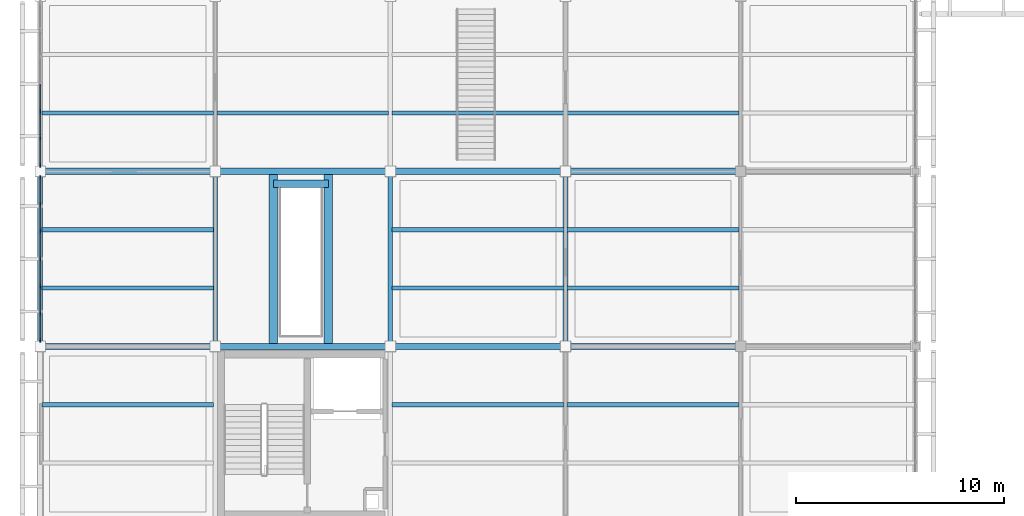
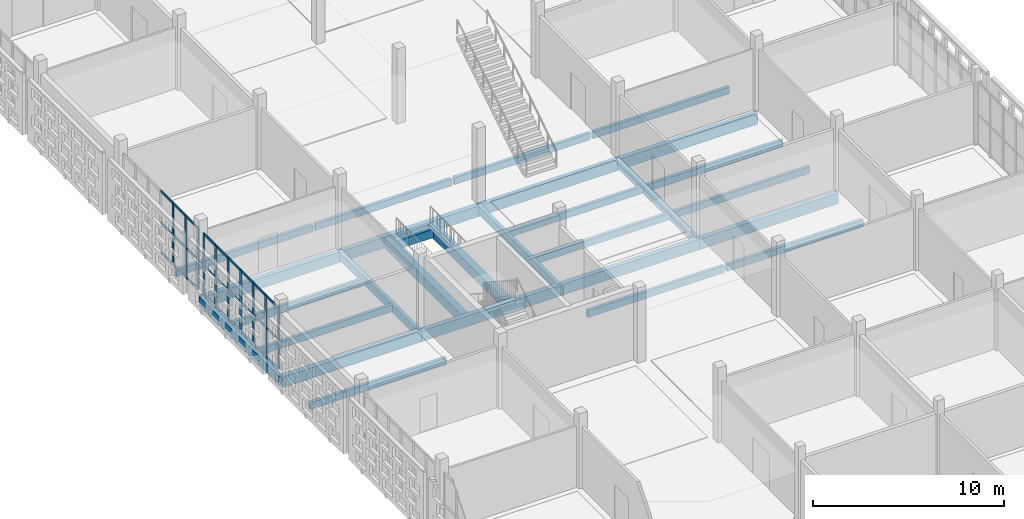
# One storey, part 39 of 203: 37 members, 28 beams, 2 elements without a shape of their own.
"""IFC4 building model written with IfcOpenShell, lengths in metres."""

from ifc_helpers import new_model, si_unit, direction, frame, origin, origin_2d, place, context, subcontext, project, spatial, rectangle, extrude, material, layer, layer_set, material_profile, profile_set, type_object, element, aggregate, save


model = new_model("IFC4")

# Units and contexts
model_context = context("Model", 3, precision=1e-05, world=origin(), true_north=direction((0.0, 1.0)))
body_context = subcontext(model_context, "Body", "Model", "MODEL_VIEW")
ifc_project = project(units=[si_unit("LENGTHUNIT", "METRE"), si_unit("AREAUNIT", "SQUARE_METRE"), si_unit("VOLUMEUNIT", "CUBIC_METRE"), si_unit("PLANEANGLEUNIT", "RADIAN"), si_unit("MASSUNIT", "GRAM", prefix="KILO")], contexts=[model_context])

# Site, building, storey
site_placement = place(None, origin())
site = spatial("IfcSite", under=ifc_project, at=site_placement, CompositionType="ELEMENT")
building_placement = place(site_placement, origin())
building = spatial("IfcBuilding", under=site, at=building_placement, Name="Varnapada Polytechnic", CompositionType="ELEMENT")
storey_placement = place(building_placement, frame((0.0, 0.0, 4.800048828125)))
storey = spatial("IfcBuildingStorey", under=building, at=storey_placement, Name="L01", CompositionType="ELEMENT", Elevation=4.800048828125)

# Beams
ifc_material_1 = material(Name="Concrete C40/50", Category="concrete")
ifc_material_profile_1 = material_profile(ifc_material_1, rectangle(XDim=0.35009765625, YDim=0.550048828125, at=origin_2d()), Name="RC 350x550")
ifc_profile_set_1 = profile_set([ifc_material_profile_1], Name="Concrete C40/50")
beam_type_1 = type_object("IfcBeamType", Name="Concrete podium spandrel beam SP-01 (RC 350x550)", PredefinedType="SPANDREL", material=ifc_profile_set_1)
beam_1_placement = place(storey_placement, frame((11.179931640625, 75.0, -0.53515625), z_axis=(1.0, 0.0, 0.0), x_axis=(0.0, 1.0, 0.0)))
element("IfcBeam", 1, at=beam_1_placement, inside=storey, type_object=beam_type_1, Name="L01 feature stair ST-F3 arrival beam", PredefinedType="SPANDREL", context=body_context, shape_type="SweptSolid", body=[
    extrude(rectangle(XDim=0.35009765625, YDim=0.550048828125, at=origin_2d()), origin(), (0.0, 0.0, 1.0), 2.64013671875),
])
ifc_material_2 = material(Name="Glulam GL32h", Category="wood")
ifc_material_profile_2 = material_profile(ifc_material_2, rectangle(XDim=0.199951171875, YDim=0.43994140625, at=origin_2d()), Name="GL 200x440")
ifc_profile_set_2 = profile_set([ifc_material_profile_2], Name="Glulam GL32h")
beam_type_2 = type_object("IfcBeamType", Name="Heavy laboratory glulam joist GJ-03 (GL 200x440)", PredefinedType="JOIST", material=ifc_profile_set_2)
for number, where, z_axis, x_axis, name in (
    (2, (0.080078125, 64.39990234375, -0.469970703125), (1.0, 0.0, 0.0), (0.0, 1.0, 0.0), "L01 floor joist 1/8.2"),
    (3, (0.080078125, 70.0, -0.469970703125), (1.0, 0.0, 0.0), (0.0, 1.0, 0.0), "L01 floor joist 1/9.1"),
    (4, (0.080078125, 72.800048828125, -0.469970703125), (1.0, 0.0, 0.0), (0.0, 1.0, 0.0), "L01 floor joist 1/9.2"),
    (5, (0.080078125, 78.39990234375, -0.469970703125), (1.0, 0.0, 0.0), (0.0, 1.0, 0.0), "L01 floor joist 1/10.1"),
    (6, (8.47998046875, 78.39990234375, -0.469970703125), (1.0, 0.0, 0.0), (0.0, 1.0, 0.0), "L01 floor joist 2/10.1"),
):
    element("IfcBeam", number, at=place(storey_placement, frame(where, z_axis=z_axis, x_axis=x_axis)), inside=storey, type_object=beam_type_2, Name=name, PredefinedType="JOIST", context=body_context, shape_type="SweptSolid", body=[
        extrude(rectangle(XDim=0.199951171875, YDim=0.43994140625, at=origin_2d()), origin(), (0.0, 0.0, 1.0), 8.239990234375),
    ])
for number, where, z_axis, x_axis, name in (
    (7, (16.8798828125, 64.39990234375, -0.469970703125), (1.0, 0.0, 0.0), (0.0, 1.0, 0.0), "L01 floor joist 3/8.2"),
    (8, (16.8798828125, 70.0, -0.469970703125), (1.0, 0.0, 0.0), (0.0, 1.0, 0.0), "L01 floor joist 3/9.1"),
    (9, (16.8798828125, 72.800048828125, -0.469970703125), (1.0, 0.0, 0.0), (0.0, 1.0, 0.0), "L01 floor joist 3/9.2"),
    (10, (16.8798828125, 78.39990234375, -0.469970703125), (1.0, 0.0, 0.0), (0.0, 1.0, 0.0), "L01 floor joist 3/10.1"),
):
    element("IfcBeam", number, at=place(storey_placement, frame(where, z_axis=z_axis, x_axis=x_axis)), inside=storey, type_object=beam_type_2, Name=name, PredefinedType="JOIST", context=body_context, shape_type="SweptSolid", body=[
        extrude(rectangle(XDim=0.199951171875, YDim=0.43994140625, at=origin_2d()), origin(), (0.0, 0.0, 1.0), 8.240234375),
    ])
for number, where, z_axis, x_axis, name in (
    (11, (25.280029296875, 64.39990234375, -0.469970703125), (1.0, 0.0, 0.0), (0.0, 1.0, 0.0), "L01 floor joist 4/8.2"),
    (12, (25.280029296875, 70.0, -0.469970703125), (1.0, 0.0, 0.0), (0.0, 1.0, 0.0), "L01 floor joist 4/9.1"),
    (13, (25.280029296875, 72.800048828125, -0.469970703125), (1.0, 0.0, 0.0), (0.0, 1.0, 0.0), "L01 floor joist 4/9.2"),
    (14, (25.280029296875, 78.39990234375, -0.469970703125), (1.0, 0.0, 0.0), (0.0, 1.0, 0.0), "L01 floor joist 4/10.1"),
):
    element("IfcBeam", number, at=place(storey_placement, frame(where, z_axis=z_axis, x_axis=x_axis)), inside=storey, type_object=beam_type_2, Name=name, PredefinedType="JOIST", context=body_context, shape_type="SweptSolid", body=[
        extrude(rectangle(XDim=0.199951171875, YDim=0.43994140625, at=origin_2d()), origin(), (0.0, 0.0, 1.0), 8.239990234375),
    ])
ifc_material_profile_3 = material_profile(ifc_material_2, rectangle(XDim=0.219970703125, YDim=0.52001953125, at=origin_2d()), Name="GL 220x520")
ifc_profile_set_3 = profile_set([ifc_material_profile_3], Name="Glulam GL32h")
beam_type_3 = type_object("IfcBeamType", Name="Laboratory transverse glulam beam GB-12 (GL 220x520)", PredefinedType="BEAM", material=ifc_profile_set_3)
for number, where, z_axis, x_axis, name in (
    (15, (8.39990234375, 67.199951171875, -0.510009765625), (0.0, 1.0, 0.0), (-1.0, 0.0, 0.0), "L01 beam Y 9-10 at X2"),
    (16, (16.800048828125, 67.199951171875, -0.510009765625), (0.0, 1.0, 0.0), (-1.0, 0.0, 0.0), "L01 beam Y 9-10 at X3"),
    (17, (25.199951171875, 67.199951171875, -0.510009765625), (0.0, 1.0, 0.0), (-1.0, 0.0, 0.0), "L01 beam Y 9-10 at X4"),
):
    element("IfcBeam", number, at=place(storey_placement, frame(where, z_axis=z_axis, x_axis=x_axis)), inside=storey, type_object=beam_type_3, Name=name, PredefinedType="BEAM", context=body_context, shape_type="SweptSolid", body=[
        extrude(rectangle(XDim=0.219970703125, YDim=0.52001953125, at=origin_2d()), origin(), (0.0, 0.0, 1.0), 8.400146484375),
    ])

# Curtain wall, members
ifc_material_3 = material(Name="Double low-E laminated glass", Category="glass")
ifc_layer = layer(ifc_material_3, 0.179931640625)
ifc_layer_set = layer_set([ifc_layer], Name="Double low-E laminated glass")
curtain_wall_type = type_object("IfcCurtainWallType", Name="Curtain Wall CW-03", PredefinedType="NOTDEFINED", material=ifc_layer_set)
curtain_wall_1_placement = place(storey_placement, origin())
curtain_wall_1 = element("IfcCurtainWall", 18, at=curtain_wall_1_placement, inside=storey, type_object=curtain_wall_type, Name="L01 unitised curtain wall CW-03 (22)", PredefinedType="NOTDEFINED")
ifc_material_4 = material(Name="Anodised aluminium", Category="aluminium")
ifc_material_profile_4 = material_profile(ifc_material_4, rectangle(XDim=0.06494140625, YDim=0.179931640625, at=origin_2d()), Name="ALU M65x180")
ifc_profile_set_4 = profile_set([ifc_material_profile_4], Name="Anodised aluminium")
member_type_1 = type_object("IfcMemberType", Name="Mullion M-02", PredefinedType="MULLION", material=ifc_profile_set_4)
member_1_placement = place(storey_placement, frame((0.0, 67.492431640625, 0.0), z_axis=(0.0, 0.0, 1.0), x_axis=(-1.0, 0.0, 0.0)))
member_1 = element("IfcMember", 19, at=member_1_placement, type_object=member_type_1, Name="CW-03 mullion 1", PredefinedType="MULLION", context=body_context, shape_type="SweptSolid", body=[
    extrude(rectangle(XDim=0.06494140625, YDim=0.179931640625, at=origin_2d()), origin(), (0.0, 0.0, 1.0), 3.9599609375),
])
member_2_placement = place(storey_placement, frame((0.0, 68.7734375, 0.0), z_axis=(0.0, 0.0, 1.0), x_axis=(-1.0, 0.0, 0.0)))
member_2 = element("IfcMember", 20, at=member_2_placement, type_object=member_type_1, Name="CW-03 mullion 2", PredefinedType="MULLION", context=body_context, shape_type="SweptSolid", body=[
    extrude(rectangle(XDim=0.06494140625, YDim=0.179931640625, at=origin_2d()), origin(), (0.0, 0.0, 1.0), 3.9599609375),
])
member_3_placement = place(storey_placement, frame((0.0, 70.086669921875, 0.0), z_axis=(0.0, 0.0, 1.0), x_axis=(-1.0, 0.0, 0.0)))
member_3 = element("IfcMember", 21, at=member_3_placement, type_object=member_type_1, Name="CW-03 mullion 3", PredefinedType="MULLION", context=body_context, shape_type="SweptSolid", body=[
    extrude(rectangle(XDim=0.06494140625, YDim=0.179931640625, at=origin_2d()), origin(), (0.0, 0.0, 1.0), 3.9599609375),
])
member_4_placement = place(storey_placement, frame((0.0, 71.39990234375, 0.0), z_axis=(0.0, 0.0, 1.0), x_axis=(-1.0, 0.0, 0.0)))
member_4 = element("IfcMember", 22, at=member_4_placement, type_object=member_type_1, Name="CW-03 mullion 4", PredefinedType="MULLION", context=body_context, shape_type="SweptSolid", body=[
    extrude(rectangle(XDim=0.06494140625, YDim=0.179931640625, at=origin_2d()), origin(), (0.0, 0.0, 1.0), 3.9599609375),
])
member_5_placement = place(storey_placement, frame((0.0, 72.71337890625, 0.0), z_axis=(0.0, 0.0, 1.0), x_axis=(-1.0, 0.0, 0.0)))
member_5 = element("IfcMember", 23, at=member_5_placement, type_object=member_type_1, Name="CW-03 mullion 5", PredefinedType="MULLION", context=body_context, shape_type="SweptSolid", body=[
    extrude(rectangle(XDim=0.06494140625, YDim=0.179931640625, at=origin_2d()), origin(), (0.0, 0.0, 1.0), 3.9599609375),
])
member_6_placement = place(storey_placement, frame((0.0, 74.026611328125, 0.0), z_axis=(0.0, 0.0, 1.0), x_axis=(-1.0, 0.0, 0.0)))
member_6 = element("IfcMember", 24, at=member_6_placement, type_object=member_type_1, Name="CW-03 mullion 6", PredefinedType="MULLION", context=body_context, shape_type="SweptSolid", body=[
    extrude(rectangle(XDim=0.06494140625, YDim=0.179931640625, at=origin_2d()), origin(), (0.0, 0.0, 1.0), 3.9599609375),
])
member_7_placement = place(storey_placement, frame((0.0, 75.3076171875, 0.0), z_axis=(0.0, 0.0, 1.0), x_axis=(-1.0, 0.0, 0.0)))
member_7 = element("IfcMember", 25, at=member_7_placement, type_object=member_type_1, Name="CW-03 mullion 7", PredefinedType="MULLION", context=body_context, shape_type="SweptSolid", body=[
    extrude(rectangle(XDim=0.06494140625, YDim=0.179931640625, at=origin_2d()), origin(), (0.0, 0.0, 1.0), 3.9599609375),
])

curtain_wall_2_placement = place(storey_placement, origin())
curtain_wall_2 = element("IfcCurtainWall", 26, at=curtain_wall_2_placement, inside=storey, type_object=curtain_wall_type, Name="L01 unitised curtain wall CW-03 (23)", PredefinedType="NOTDEFINED")
member_8_placement = place(storey_placement, frame((0.0, 75.892578125, 0.0), z_axis=(0.0, 0.0, 1.0), x_axis=(-1.0, 0.0, 0.0)))
member_8 = element("IfcMember", 27, at=member_8_placement, type_object=member_type_1, Name="CW-03 mullion 1", PredefinedType="MULLION", context=body_context, shape_type="SweptSolid", body=[
    extrude(rectangle(XDim=0.06494140625, YDim=0.179931640625, at=origin_2d()), origin(), (0.0, 0.0, 1.0), 3.9599609375),
])
member_9_placement = place(storey_placement, frame((0.0, 77.17333984375, 0.0), z_axis=(0.0, 0.0, 1.0), x_axis=(-1.0, 0.0, 0.0)))
member_9 = element("IfcMember", 28, at=member_9_placement, type_object=member_type_1, Name="CW-03 mullion 2", PredefinedType="MULLION", context=body_context, shape_type="SweptSolid", body=[
    extrude(rectangle(XDim=0.06494140625, YDim=0.179931640625, at=origin_2d()), origin(), (0.0, 0.0, 1.0), 3.9599609375),
])
member_10_placement = place(storey_placement, frame((0.0, 78.486572265625, 0.0), z_axis=(0.0, 0.0, 1.0), x_axis=(-1.0, 0.0, 0.0)))
member_10 = element("IfcMember", 29, at=member_10_placement, type_object=member_type_1, Name="CW-03 mullion 3", PredefinedType="MULLION", context=body_context, shape_type="SweptSolid", body=[
    extrude(rectangle(XDim=0.06494140625, YDim=0.179931640625, at=origin_2d()), origin(), (0.0, 0.0, 1.0), 3.9599609375),
])

# Beams
ifc_material_profile_5 = material_profile(ifc_material_2, rectangle(XDim=0.239990234375, YDim=0.56005859375, at=origin_2d()), Name="GL 240x560")
ifc_profile_set_5 = profile_set([ifc_material_profile_5], Name="Glulam GL32h")
beam_type_4 = type_object("IfcBeamType", Name="Perimeter glulam spandrel beam SP-02 (GL 240x560)", PredefinedType="SPANDREL", material=ifc_profile_set_5)
beam_2_placement = place(storey_placement, frame((0.0, 67.199951171875, -0.530029296875), z_axis=(0.0, 1.0, 0.0), x_axis=(-1.0, 0.0, 0.0)))
element("IfcBeam", 30, at=beam_2_placement, inside=storey, type_object=beam_type_4, Name="L01 beam Y 9-10 at X1", PredefinedType="SPANDREL", context=body_context, shape_type="SweptSolid", body=[
    extrude(rectangle(XDim=0.239990234375, YDim=0.56005859375, at=origin_2d()), origin(), (0.0, 0.0, 1.0), 8.400146484375),
])
ifc_material_profile_6 = material_profile(ifc_material_1, rectangle(XDim=0.39990234375, YDim=0.64990234375, at=origin_2d()), Name="RC 400x650")
ifc_profile_set_6 = profile_set([ifc_material_profile_6], Name="Concrete C40/50")
beam_type_5 = type_object("IfcBeamType", Name="Podium framing beam BB-02 (RC 400x650)", PredefinedType="BEAM", material=ifc_profile_set_6)
for number, where, z_axis, x_axis, name in (
    (31, (11.179931640625, 67.199951171875, -0.5849609375), (0.0, 1.0, 0.0), (-1.0, 0.0, 0.0), "L01 feature stair ST-F3 trimmer girder L"),
    (32, (13.820068359375, 67.199951171875, -0.5849609375), (0.0, 1.0, 0.0), (-1.0, 0.0, 0.0), "L01 feature stair ST-F3 trimmer girder R"),
):
    element("IfcBeam", number, at=place(storey_placement, frame(where, z_axis=z_axis, x_axis=x_axis)), inside=storey, type_object=beam_type_5, Name=name, PredefinedType="BEAM", context=body_context, shape_type="SweptSolid", body=[
        extrude(rectangle(XDim=0.39990234375, YDim=0.64990234375, at=origin_2d()), origin(), (0.0, 0.0, 1.0), 8.400146484375),
    ])

# Member
ifc_material_profile_7 = material_profile(ifc_material_4, rectangle(XDim=0.06494140625, YDim=0.139892578125, at=origin_2d()), Name="ALU T65x140")
ifc_profile_set_7 = profile_set([ifc_material_profile_7], Name="Anodised aluminium")
member_type_2 = type_object("IfcMemberType", Name="Transom T-02", PredefinedType="USERDEFINED", material=ifc_profile_set_7)
member_11_placement = place(storey_placement, frame((0.0, 67.52490234375, 0.032470703125), z_axis=(0.0, 1.0, 0.0), x_axis=(-1.0, 0.0, 0.0)))
member_11 = element("IfcMember", 33, at=member_11_placement, type_object=member_type_2, Name="CW-03 transom 1.1", ObjectType="TRANSOM", PredefinedType="USERDEFINED", context=body_context, shape_type="SweptSolid", body=[
    extrude(rectangle(XDim=0.06494140625, YDim=0.139892578125, at=origin_2d()), origin(), (0.0, 0.0, 1.0), 1.2158203125),
])

member_12_placement = place(storey_placement, frame((0.0, 67.52490234375, 1.900634765625), z_axis=(0.0, 1.0, 0.0), x_axis=(-1.0, 0.0, 0.0)))
member_12 = element("IfcMember", 34, at=member_12_placement, type_object=member_type_2, Name="CW-03 transom 1.2", ObjectType="TRANSOM", PredefinedType="USERDEFINED", context=body_context, shape_type="SweptSolid", body=[
    extrude(rectangle(XDim=0.06494140625, YDim=0.139892578125, at=origin_2d()), origin(), (0.0, 0.0, 1.0), 1.2158203125),
])

member_13_placement = place(storey_placement, frame((0.0, 67.52490234375, 3.927490234375), z_axis=(0.0, 1.0, 0.0), x_axis=(-1.0, 0.0, 0.0)))
member_13 = element("IfcMember", 35, at=member_13_placement, type_object=member_type_2, Name="CW-03 transom 1.3", ObjectType="TRANSOM", PredefinedType="USERDEFINED", context=body_context, shape_type="SweptSolid", body=[
    extrude(rectangle(XDim=0.06494140625, YDim=0.139892578125, at=origin_2d()), origin(), (0.0, 0.0, 1.0), 1.2158203125),
])

member_14_placement = place(storey_placement, frame((0.0, 68.805908203125, 0.032470703125), z_axis=(0.0, 1.0, 0.0), x_axis=(-1.0, 0.0, 0.0)))
member_14 = element("IfcMember", 36, at=member_14_placement, type_object=member_type_2, Name="CW-03 transom 2.1", ObjectType="TRANSOM", PredefinedType="USERDEFINED", context=body_context, shape_type="SweptSolid", body=[
    extrude(rectangle(XDim=0.06494140625, YDim=0.139892578125, at=origin_2d()), origin(), (0.0, 0.0, 1.0), 1.248291015625),
])

member_15_placement = place(storey_placement, frame((0.0, 68.805908203125, 1.900634765625), z_axis=(0.0, 1.0, 0.0), x_axis=(-1.0, 0.0, 0.0)))
member_15 = element("IfcMember", 37, at=member_15_placement, type_object=member_type_2, Name="CW-03 transom 2.2", ObjectType="TRANSOM", PredefinedType="USERDEFINED", context=body_context, shape_type="SweptSolid", body=[
    extrude(rectangle(XDim=0.06494140625, YDim=0.139892578125, at=origin_2d()), origin(), (0.0, 0.0, 1.0), 1.248291015625),
])

member_16_placement = place(storey_placement, frame((0.0, 68.805908203125, 3.927490234375), z_axis=(0.0, 1.0, 0.0), x_axis=(-1.0, 0.0, 0.0)))
member_16 = element("IfcMember", 38, at=member_16_placement, type_object=member_type_2, Name="CW-03 transom 2.3", ObjectType="TRANSOM", PredefinedType="USERDEFINED", context=body_context, shape_type="SweptSolid", body=[
    extrude(rectangle(XDim=0.06494140625, YDim=0.139892578125, at=origin_2d()), origin(), (0.0, 0.0, 1.0), 1.248291015625),
])

member_17_placement = place(storey_placement, frame((0.0, 70.119140625, 0.032470703125), z_axis=(0.0, 1.0, 0.0), x_axis=(-1.0, 0.0, 0.0)))
member_17 = element("IfcMember", 39, at=member_17_placement, type_object=member_type_2, Name="CW-03 transom 3.1", ObjectType="TRANSOM", PredefinedType="USERDEFINED", context=body_context, shape_type="SweptSolid", body=[
    extrude(rectangle(XDim=0.06494140625, YDim=0.139892578125, at=origin_2d()), origin(), (0.0, 0.0, 1.0), 1.248291015625),
])

member_18_placement = place(storey_placement, frame((0.0, 70.119140625, 1.900634765625), z_axis=(0.0, 1.0, 0.0), x_axis=(-1.0, 0.0, 0.0)))
member_18 = element("IfcMember", 40, at=member_18_placement, type_object=member_type_2, Name="CW-03 transom 3.2", ObjectType="TRANSOM", PredefinedType="USERDEFINED", context=body_context, shape_type="SweptSolid", body=[
    extrude(rectangle(XDim=0.06494140625, YDim=0.139892578125, at=origin_2d()), origin(), (0.0, 0.0, 1.0), 1.248291015625),
])

member_19_placement = place(storey_placement, frame((0.0, 70.119140625, 3.927490234375), z_axis=(0.0, 1.0, 0.0), x_axis=(-1.0, 0.0, 0.0)))
member_19 = element("IfcMember", 41, at=member_19_placement, type_object=member_type_2, Name="CW-03 transom 3.3", ObjectType="TRANSOM", PredefinedType="USERDEFINED", context=body_context, shape_type="SweptSolid", body=[
    extrude(rectangle(XDim=0.06494140625, YDim=0.139892578125, at=origin_2d()), origin(), (0.0, 0.0, 1.0), 1.248291015625),
])

member_20_placement = place(storey_placement, frame((0.0, 71.4326171875, 0.032470703125), z_axis=(0.0, 1.0, 0.0), x_axis=(-1.0, 0.0, 0.0)))
member_20 = element("IfcMember", 42, at=member_20_placement, type_object=member_type_2, Name="CW-03 transom 4.1", ObjectType="TRANSOM", PredefinedType="USERDEFINED", context=body_context, shape_type="SweptSolid", body=[
    extrude(rectangle(XDim=0.06494140625, YDim=0.139892578125, at=origin_2d()), origin(), (0.0, 0.0, 1.0), 1.248291015625),
])

member_21_placement = place(storey_placement, frame((0.0, 71.4326171875, 1.900634765625), z_axis=(0.0, 1.0, 0.0), x_axis=(-1.0, 0.0, 0.0)))
member_21 = element("IfcMember", 43, at=member_21_placement, type_object=member_type_2, Name="CW-03 transom 4.2", ObjectType="TRANSOM", PredefinedType="USERDEFINED", context=body_context, shape_type="SweptSolid", body=[
    extrude(rectangle(XDim=0.06494140625, YDim=0.139892578125, at=origin_2d()), origin(), (0.0, 0.0, 1.0), 1.248291015625),
])

member_22_placement = place(storey_placement, frame((0.0, 71.4326171875, 3.927490234375), z_axis=(0.0, 1.0, 0.0), x_axis=(-1.0, 0.0, 0.0)))
member_22 = element("IfcMember", 44, at=member_22_placement, type_object=member_type_2, Name="CW-03 transom 4.3", ObjectType="TRANSOM", PredefinedType="USERDEFINED", context=body_context, shape_type="SweptSolid", body=[
    extrude(rectangle(XDim=0.06494140625, YDim=0.139892578125, at=origin_2d()), origin(), (0.0, 0.0, 1.0), 1.248291015625),
])

member_23_placement = place(storey_placement, frame((0.0, 72.745849609375, 0.032470703125), z_axis=(0.0, 1.0, 0.0), x_axis=(-1.0, 0.0, 0.0)))
member_23 = element("IfcMember", 45, at=member_23_placement, type_object=member_type_2, Name="CW-03 transom 5.1", ObjectType="TRANSOM", PredefinedType="USERDEFINED", context=body_context, shape_type="SweptSolid", body=[
    extrude(rectangle(XDim=0.06494140625, YDim=0.139892578125, at=origin_2d()), origin(), (0.0, 0.0, 1.0), 1.248291015625),
])

member_24_placement = place(storey_placement, frame((0.0, 72.745849609375, 1.900634765625), z_axis=(0.0, 1.0, 0.0), x_axis=(-1.0, 0.0, 0.0)))
member_24 = element("IfcMember", 46, at=member_24_placement, type_object=member_type_2, Name="CW-03 transom 5.2", ObjectType="TRANSOM", PredefinedType="USERDEFINED", context=body_context, shape_type="SweptSolid", body=[
    extrude(rectangle(XDim=0.06494140625, YDim=0.139892578125, at=origin_2d()), origin(), (0.0, 0.0, 1.0), 1.248291015625),
])

member_25_placement = place(storey_placement, frame((0.0, 72.745849609375, 3.927490234375), z_axis=(0.0, 1.0, 0.0), x_axis=(-1.0, 0.0, 0.0)))
member_25 = element("IfcMember", 47, at=member_25_placement, type_object=member_type_2, Name="CW-03 transom 5.3", ObjectType="TRANSOM", PredefinedType="USERDEFINED", context=body_context, shape_type="SweptSolid", body=[
    extrude(rectangle(XDim=0.06494140625, YDim=0.139892578125, at=origin_2d()), origin(), (0.0, 0.0, 1.0), 1.248291015625),
])

member_26_placement = place(storey_placement, frame((0.0, 74.05908203125, 0.032470703125), z_axis=(0.0, 1.0, 0.0), x_axis=(-1.0, 0.0, 0.0)))
member_26 = element("IfcMember", 48, at=member_26_placement, type_object=member_type_2, Name="CW-03 transom 6.1", ObjectType="TRANSOM", PredefinedType="USERDEFINED", context=body_context, shape_type="SweptSolid", body=[
    extrude(rectangle(XDim=0.06494140625, YDim=0.139892578125, at=origin_2d()), origin(), (0.0, 0.0, 1.0), 1.2158203125),
])

member_27_placement = place(storey_placement, frame((0.0, 74.05908203125, 1.900634765625), z_axis=(0.0, 1.0, 0.0), x_axis=(-1.0, 0.0, 0.0)))
member_27 = element("IfcMember", 49, at=member_27_placement, type_object=member_type_2, Name="CW-03 transom 6.2", ObjectType="TRANSOM", PredefinedType="USERDEFINED", context=body_context, shape_type="SweptSolid", body=[
    extrude(rectangle(XDim=0.06494140625, YDim=0.139892578125, at=origin_2d()), origin(), (0.0, 0.0, 1.0), 1.2158203125),
])

member_28_placement = place(storey_placement, frame((0.0, 74.05908203125, 3.927490234375), z_axis=(0.0, 1.0, 0.0), x_axis=(-1.0, 0.0, 0.0)))
member_28 = element("IfcMember", 50, at=member_28_placement, type_object=member_type_2, Name="CW-03 transom 6.3", ObjectType="TRANSOM", PredefinedType="USERDEFINED", context=body_context, shape_type="SweptSolid", body=[
    extrude(rectangle(XDim=0.06494140625, YDim=0.139892578125, at=origin_2d()), origin(), (0.0, 0.0, 1.0), 1.2158203125),
])

aggregate(curtain_wall_1, [member_1, member_2, member_3, member_4, member_5, member_6, member_7, member_11, member_12, member_13, member_14, member_15, member_16, member_17, member_18, member_19, member_20, member_21, member_22, member_23, member_24, member_25, member_26, member_27, member_28])

member_29_placement = place(storey_placement, frame((0.0, 75.925048828125, 0.032470703125), z_axis=(0.0, 1.0, 0.0), x_axis=(-1.0, 0.0, 0.0)))
member_29 = element("IfcMember", 51, at=member_29_placement, type_object=member_type_2, Name="CW-03 transom 1.1", ObjectType="TRANSOM", PredefinedType="USERDEFINED", context=body_context, shape_type="SweptSolid", body=[
    extrude(rectangle(XDim=0.06494140625, YDim=0.139892578125, at=origin_2d()), origin(), (0.0, 0.0, 1.0), 1.2158203125),
])

member_30_placement = place(storey_placement, frame((0.0, 75.925048828125, 1.900634765625), z_axis=(0.0, 1.0, 0.0), x_axis=(-1.0, 0.0, 0.0)))
member_30 = element("IfcMember", 52, at=member_30_placement, type_object=member_type_2, Name="CW-03 transom 1.2", ObjectType="TRANSOM", PredefinedType="USERDEFINED", context=body_context, shape_type="SweptSolid", body=[
    extrude(rectangle(XDim=0.06494140625, YDim=0.139892578125, at=origin_2d()), origin(), (0.0, 0.0, 1.0), 1.2158203125),
])

member_31_placement = place(storey_placement, frame((0.0, 75.925048828125, 3.927490234375), z_axis=(0.0, 1.0, 0.0), x_axis=(-1.0, 0.0, 0.0)))
member_31 = element("IfcMember", 53, at=member_31_placement, type_object=member_type_2, Name="CW-03 transom 1.3", ObjectType="TRANSOM", PredefinedType="USERDEFINED", context=body_context, shape_type="SweptSolid", body=[
    extrude(rectangle(XDim=0.06494140625, YDim=0.139892578125, at=origin_2d()), origin(), (0.0, 0.0, 1.0), 1.2158203125),
])

member_32_placement = place(storey_placement, frame((0.0, 77.205810546875, 0.032470703125), z_axis=(0.0, 1.0, 0.0), x_axis=(-1.0, 0.0, 0.0)))
member_32 = element("IfcMember", 54, at=member_32_placement, type_object=member_type_2, Name="CW-03 transom 2.1", ObjectType="TRANSOM", PredefinedType="USERDEFINED", context=body_context, shape_type="SweptSolid", body=[
    extrude(rectangle(XDim=0.06494140625, YDim=0.139892578125, at=origin_2d()), origin(), (0.0, 0.0, 1.0), 1.248291015625),
])

member_33_placement = place(storey_placement, frame((0.0, 77.205810546875, 1.900634765625), z_axis=(0.0, 1.0, 0.0), x_axis=(-1.0, 0.0, 0.0)))
member_33 = element("IfcMember", 55, at=member_33_placement, type_object=member_type_2, Name="CW-03 transom 2.2", ObjectType="TRANSOM", PredefinedType="USERDEFINED", context=body_context, shape_type="SweptSolid", body=[
    extrude(rectangle(XDim=0.06494140625, YDim=0.139892578125, at=origin_2d()), origin(), (0.0, 0.0, 1.0), 1.248291015625),
])

member_34_placement = place(storey_placement, frame((0.0, 77.205810546875, 3.927490234375), z_axis=(0.0, 1.0, 0.0), x_axis=(-1.0, 0.0, 0.0)))
member_34 = element("IfcMember", 56, at=member_34_placement, type_object=member_type_2, Name="CW-03 transom 2.3", ObjectType="TRANSOM", PredefinedType="USERDEFINED", context=body_context, shape_type="SweptSolid", body=[
    extrude(rectangle(XDim=0.06494140625, YDim=0.139892578125, at=origin_2d()), origin(), (0.0, 0.0, 1.0), 1.248291015625),
])

member_35_placement = place(storey_placement, frame((0.0, 78.519287109375, 0.032470703125), z_axis=(0.0, 1.0, 0.0), x_axis=(-1.0, 0.0, 0.0)))
member_35 = element("IfcMember", 57, at=member_35_placement, type_object=member_type_2, Name="CW-03 transom 3.1", ObjectType="TRANSOM", PredefinedType="USERDEFINED", context=body_context, shape_type="SweptSolid", body=[
    extrude(rectangle(XDim=0.06494140625, YDim=0.139892578125, at=origin_2d()), origin(), (0.0, 0.0, 1.0), 1.248291015625),
])

member_36_placement = place(storey_placement, frame((0.0, 78.519287109375, 1.900634765625), z_axis=(0.0, 1.0, 0.0), x_axis=(-1.0, 0.0, 0.0)))
member_36 = element("IfcMember", 58, at=member_36_placement, type_object=member_type_2, Name="CW-03 transom 3.2", ObjectType="TRANSOM", PredefinedType="USERDEFINED", context=body_context, shape_type="SweptSolid", body=[
    extrude(rectangle(XDim=0.06494140625, YDim=0.139892578125, at=origin_2d()), origin(), (0.0, 0.0, 1.0), 1.248291015625),
])

member_37_placement = place(storey_placement, frame((0.0, 78.519287109375, 3.927490234375), z_axis=(0.0, 1.0, 0.0), x_axis=(-1.0, 0.0, 0.0)))
member_37 = element("IfcMember", 59, at=member_37_placement, type_object=member_type_2, Name="CW-03 transom 3.3", ObjectType="TRANSOM", PredefinedType="USERDEFINED", context=body_context, shape_type="SweptSolid", body=[
    extrude(rectangle(XDim=0.06494140625, YDim=0.139892578125, at=origin_2d()), origin(), (0.0, 0.0, 1.0), 1.248291015625),
])

aggregate(curtain_wall_2, [member_8, member_9, member_10, member_29, member_30, member_31, member_32, member_33, member_34, member_35, member_36, member_37])

# Beams
ifc_material_profile_8 = material_profile(ifc_material_2, rectangle(XDim=0.300048828125, YDim=0.679931640625, at=origin_2d()), Name="GL 300x680")
ifc_profile_set_8 = profile_set([ifc_material_profile_8], Name="Glulam GL32h")
beam_type_6 = type_object("IfcBeamType", Name="Wet laboratory glulam girder GG-04 (GL 300x680)", PredefinedType="BEAM", material=ifc_profile_set_8)
for number, where, z_axis, x_axis, name in (
    (60, (0.0, 67.199951171875, -0.590087890625), (1.0, 0.0, 0.0), (0.0, 1.0, 0.0), "L01 beam X 1-2 at Y9"),
    (61, (0.0, 75.60009765625, -0.590087890625), (1.0, 0.0, 0.0), (0.0, 1.0, 0.0), "L01 beam X 1-2 at Y10"),
):
    element("IfcBeam", number, at=place(storey_placement, frame(where, z_axis=z_axis, x_axis=x_axis)), inside=storey, type_object=beam_type_6, Name=name, PredefinedType="BEAM", context=body_context, shape_type="SweptSolid", body=[
        extrude(rectangle(XDim=0.300048828125, YDim=0.679931640625, at=origin_2d()), origin(), (0.0, 0.0, 1.0), 8.39990234375),
    ])
for number, where, z_axis, x_axis, name in (
    (62, (8.39990234375, 67.199951171875, -0.590087890625), (1.0, 0.0, 0.0), (0.0, 1.0, 0.0), "L01 beam X 2-3 at Y9"),
    (63, (8.39990234375, 75.60009765625, -0.590087890625), (1.0, 0.0, 0.0), (0.0, 1.0, 0.0), "L01 beam X 2-3 at Y10"),
):
    element("IfcBeam", number, at=place(storey_placement, frame(where, z_axis=z_axis, x_axis=x_axis)), inside=storey, type_object=beam_type_6, Name=name, PredefinedType="BEAM", context=body_context, shape_type="SweptSolid", body=[
        extrude(rectangle(XDim=0.300048828125, YDim=0.679931640625, at=origin_2d()), origin(), (0.0, 0.0, 1.0), 8.400146484375),
    ])
for number, where, z_axis, x_axis, name in (
    (64, (16.800048828125, 67.199951171875, -0.590087890625), (1.0, 0.0, 0.0), (0.0, 1.0, 0.0), "L01 beam X 3-4 at Y9"),
    (65, (16.800048828125, 75.60009765625, -0.590087890625), (1.0, 0.0, 0.0), (0.0, 1.0, 0.0), "L01 beam X 3-4 at Y10"),
):
    element("IfcBeam", number, at=place(storey_placement, frame(where, z_axis=z_axis, x_axis=x_axis)), inside=storey, type_object=beam_type_6, Name=name, PredefinedType="BEAM", context=body_context, shape_type="SweptSolid", body=[
        extrude(rectangle(XDim=0.300048828125, YDim=0.679931640625, at=origin_2d()), origin(), (0.0, 0.0, 1.0), 8.39990234375),
    ])
for number, where, z_axis, x_axis, name in (
    (66, (25.199951171875, 67.199951171875, -0.590087890625), (1.0, 0.0, 0.0), (0.0, 1.0, 0.0), "L01 beam X 4-5 at Y9"),
    (67, (25.199951171875, 75.60009765625, -0.590087890625), (1.0, 0.0, 0.0), (0.0, 1.0, 0.0), "L01 beam X 4-5 at Y10"),
):
    element("IfcBeam", number, at=place(storey_placement, frame(where, z_axis=z_axis, x_axis=x_axis)), inside=storey, type_object=beam_type_6, Name=name, PredefinedType="BEAM", context=body_context, shape_type="SweptSolid", body=[
        extrude(rectangle(XDim=0.300048828125, YDim=0.679931640625, at=origin_2d()), origin(), (0.0, 0.0, 1.0), 8.400146484375),
    ])

save(model, "model.ifc")
